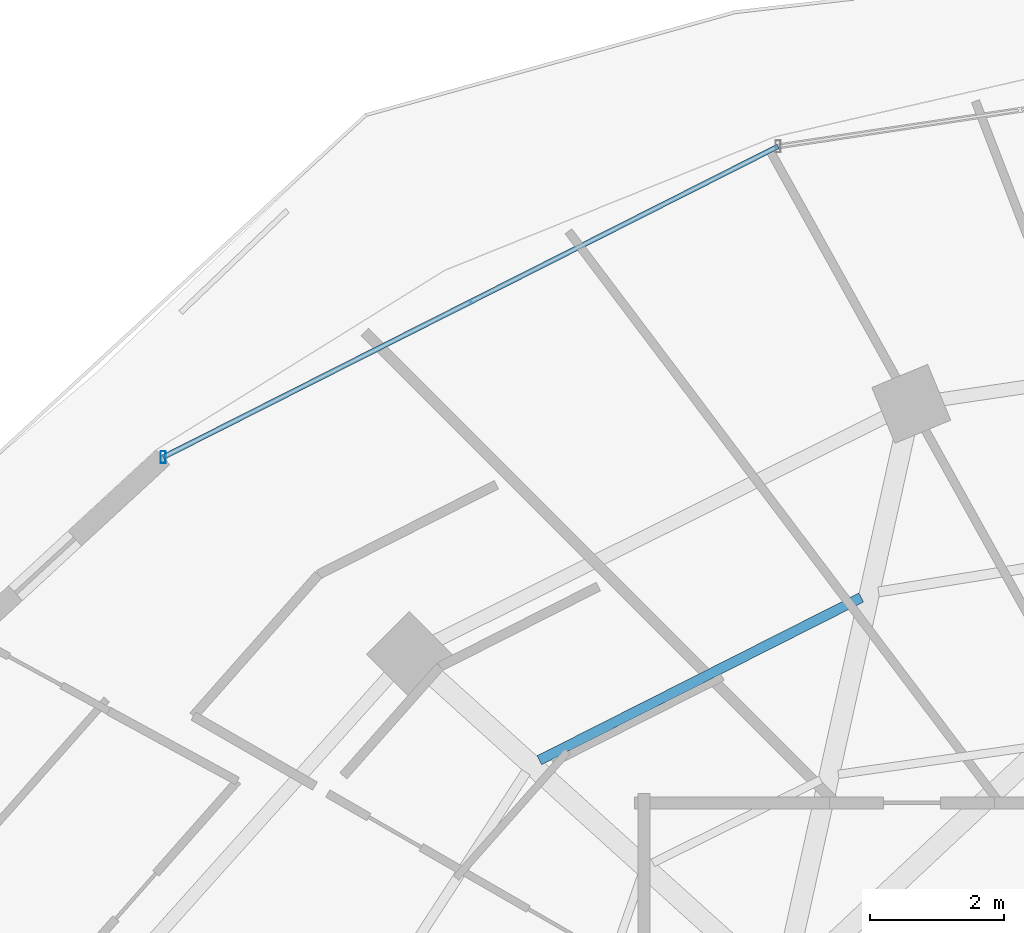
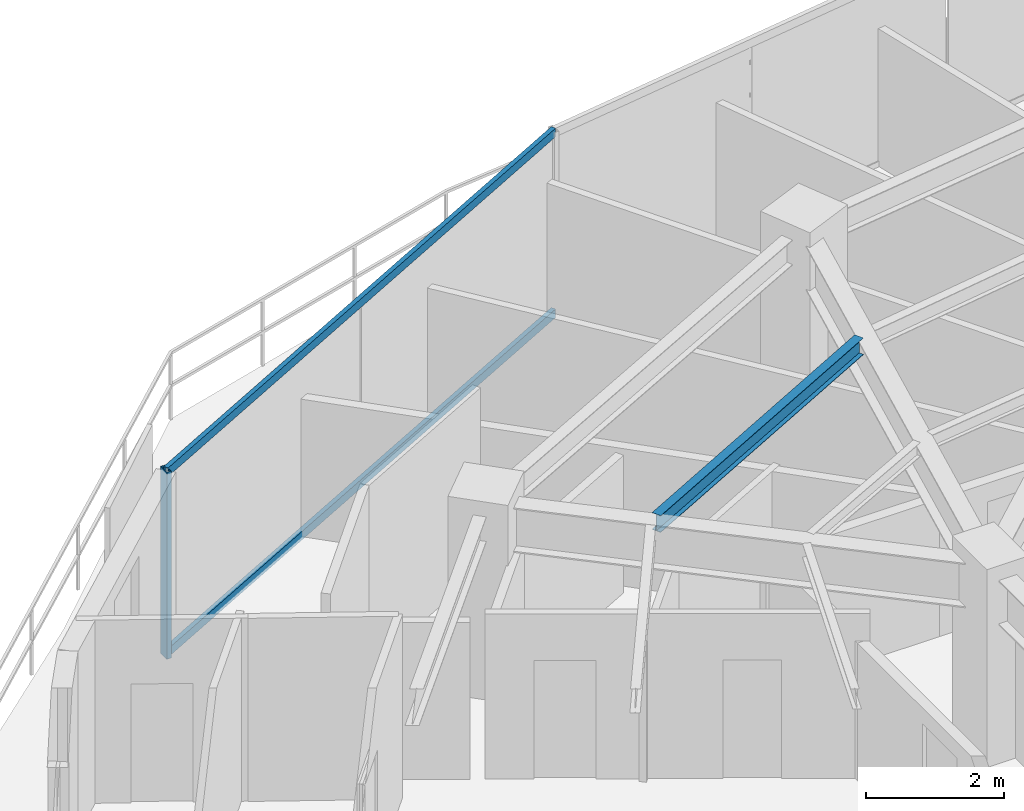
# One storey, part 18 of 33: 3 members, 1 beam, 1 element without a shape of its own.
"""IFC4 building model written with IfcOpenShell, lengths in metres."""

from ifc_helpers import new_model, si_unit, direction, frame, origin, origin_2d, place, context, subcontext, project, spatial, hollow_rectangle, i_section, extrude, material, material_profile, profile_set, type_object, element, aggregate, save


model = new_model("IFC4")

# Units and contexts
model_context = context("Model", 3, precision=1e-05, world=origin(), true_north=direction((0.0, 1.0)))
body_context = subcontext(model_context, "Body", "Model", "MODEL_VIEW")
ifc_project = project(units=[si_unit("LENGTHUNIT", "METRE"), si_unit("AREAUNIT", "SQUARE_METRE"), si_unit("VOLUMEUNIT", "CUBIC_METRE"), si_unit("PLANEANGLEUNIT", "RADIAN"), si_unit("MASSUNIT", "GRAM", prefix="KILO")], contexts=[model_context])

# Site, building, storey
site_placement = place(None, origin())
site = spatial("IfcSite", under=ifc_project, at=site_placement, CompositionType="ELEMENT")
building_placement = place(site_placement, origin())
building = spatial("IfcBuilding", under=site, at=building_placement, Name="Vorneva Point Tower", CompositionType="ELEMENT")
storey_placement = place(building_placement, frame((0.0, 0.0, 196.60009765625)))
storey = spatial("IfcBuildingStorey", under=building, at=storey_placement, Name="L53", CompositionType="ELEMENT", Elevation=196.60009765625)

# Beam
ifc_material_1 = material(Name="Steel S355", Category="steel")
ifc_material_profile_1 = material_profile(ifc_material_1, i_section(OverallWidth=0.14892578125, OverallDepth=0.298095703125, WebThickness=0.005615234375, FlangeThickness=0.008056640625, at=origin_2d()), Name="30B1")
ifc_profile_set_1 = profile_set([ifc_material_profile_1], Name="Steel S355")
beam_type = type_object("IfcBeamType", Name="BM-JST-30B1", PredefinedType="JOIST", material=ifc_profile_set_1)
beam_placement = place(storey_placement, frame((28.43310546875, 39.00634765625, 3.0908203125), z_axis=(-0.892445275424, -0.451155660912, 0.0), x_axis=(0.451155660912, -0.892445275424, 0.0)))
element("IfcBeam", 1, at=beam_placement, inside=storey, type_object=beam_type, Name="L53 Secondary Floor Beam 1.06", PredefinedType="JOIST", context=body_context, shape_type="SweptSolid", body=[
    extrude(i_section(OverallWidth=0.14892578125, OverallDepth=0.298095703125, WebThickness=0.005615234375, FlangeThickness=0.008056640625, at=origin_2d()), origin(), (0.0, 0.0, 1.0), 5.369873046875),
])

# Curtain wall, members
ifc_material_2 = material(Name="Pale anodised aluminium", Category="aluminium")
curtain_wall_type = type_object("IfcCurtainWallType", Name="CW-RES-SYS", PredefinedType="NOTDEFINED", material=ifc_material_2)
curtain_wall_placement = place(storey_placement, origin())
curtain_wall = element("IfcCurtainWall", 2, at=curtain_wall_placement, inside=storey, type_object=curtain_wall_type, Name="L53 Unitised Curtain Wall CW-L53-R02", PredefinedType="NOTDEFINED")
ifc_material_profile_2 = material_profile(ifc_material_2, hollow_rectangle(XDim=0.074951171875, YDim=0.179931640625, WallThickness=0.00390625, at=origin_2d()), Name="AL-MUL 180x75x4")
ifc_profile_set_2 = profile_set([ifc_material_profile_2], Name="Pale anodised aluminium")
member_type_1 = type_object("IfcMemberType", Name="CW-MUL-180", PredefinedType="MULLION", material=ifc_profile_set_2)
member_1_placement = place(storey_placement, frame((18.038330078125, 41.0966796875, -0.0400390625), z_axis=(0.0, 0.0, 1.0), x_axis=(1.0, 0.0, 0.0)))
member_1 = element("IfcMember", 3, at=member_1_placement, type_object=member_type_1, Name="CW-L53-R02 Mullion 05", PredefinedType="MULLION", context=body_context, shape_type="SweptSolid", body=[
    extrude(hollow_rectangle(XDim=0.074951171875, YDim=0.179931640625, WallThickness=0.00390625, at=origin_2d()), origin(), (0.0, 0.0, 1.0), 3.31005859375),
])
ifc_material_profile_3 = material_profile(ifc_material_2, hollow_rectangle(XDim=0.074951171875, YDim=0.14990234375, WallThickness=0.00390625, at=origin_2d()), Name="AL-TRN 150x75x4")
ifc_profile_set_3 = profile_set([ifc_material_profile_3], Name="Pale anodised aluminium")
member_type_2 = type_object("IfcMemberType", Name="CW-TRN-150", PredefinedType="USERDEFINED", material=ifc_profile_set_3)
member_2_placement = place(storey_placement, frame((27.19677734375, 45.724853515625, 0.02001953125), z_axis=(-0.892510927709, -0.451025768576, 0.0), x_axis=(0.451025768576, -0.892510927709, 0.0)))
member_2 = element("IfcMember", 4, at=member_2_placement, type_object=member_type_2, Name="CW-L53-R02 Transom 04.1", ObjectType="TRANSOM", PredefinedType="USERDEFINED", context=body_context, shape_type="SweptSolid", body=[
    extrude(hollow_rectangle(XDim=0.074951171875, YDim=0.14990234375, WallThickness=0.00390625, at=origin_2d()), origin(), (0.0, 0.0, 1.0), 10.261474609375),
])
member_3_placement = place(storey_placement, frame((27.19677734375, 45.724853515625, 3.219970703125), z_axis=(-0.892510927709, -0.451025768576, 0.0), x_axis=(0.451025768576, -0.892510927709, 0.0)))
member_3 = element("IfcMember", 5, at=member_3_placement, type_object=member_type_2, Name="CW-L53-R02 Transom 04.2", ObjectType="TRANSOM", PredefinedType="USERDEFINED", context=body_context, shape_type="SweptSolid", body=[
    extrude(hollow_rectangle(XDim=0.074951171875, YDim=0.14990234375, WallThickness=0.00390625, at=origin_2d()), origin(), (0.0, 0.0, 1.0), 10.261474609375),
])
aggregate(curtain_wall, [member_1, member_2, member_3])

save(model, "model.ifc")
